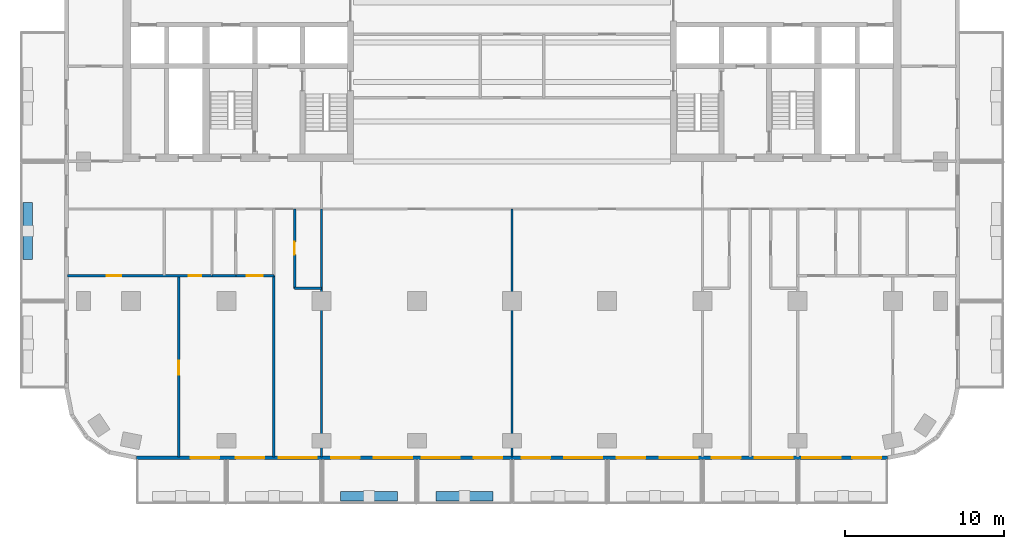
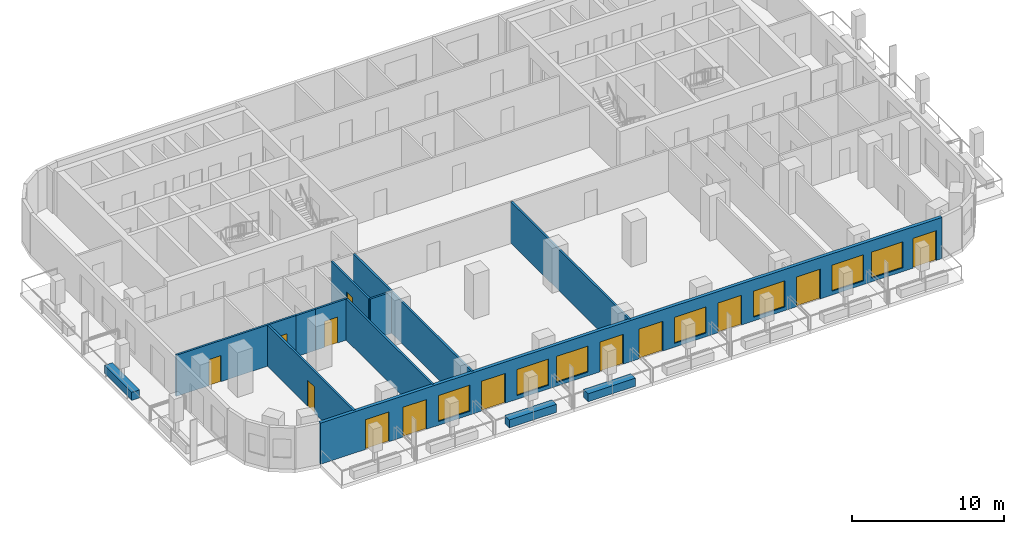
# One storey, part 2 of 11: 13 doors, 13 walls, 7 windows, 20 openings.
"""IFC4 building model written with IfcOpenShell, lengths in metres."""

from ifc_helpers import new_model, si_unit, direction, frame, frame_2d, origin, place, context, subcontext, project, spatial, rectangle, extrude, material, layer, layer_set, type_object, element, fill, save


model = new_model("IFC4")

# Units and contexts
model_context = context("Model", 3, precision=1e-05, world=origin(), true_north=direction((0.0, 1.0)))
body_context = subcontext(model_context, "Body", "Model", "MODEL_VIEW")
ifc_project = project(units=[si_unit("LENGTHUNIT", "METRE"), si_unit("AREAUNIT", "SQUARE_METRE"), si_unit("VOLUMEUNIT", "CUBIC_METRE"), si_unit("PLANEANGLEUNIT", "RADIAN"), si_unit("MASSUNIT", "GRAM", prefix="KILO")], contexts=[model_context])

# Site, building, storey
site_placement = place(None, origin())
site = spatial("IfcSite", under=ifc_project, at=site_placement, CompositionType="ELEMENT")
building_placement = place(site_placement, origin())
building = spatial("IfcBuilding", under=site, at=building_placement, Name="Torana Hotel and Residences", CompositionType="ELEMENT")
storey_placement = place(building_placement, frame((0.0, 0.0, 123.60009765625)))
storey = spatial("IfcBuildingStorey", under=building, at=storey_placement, Name="L31", CompositionType="ELEMENT", Elevation=123.60009765625)

# Wall, openings, doors, windows
ifc_material_1 = material(Name="Black aluminium composite panel", Category="aluminium")
ifc_layer_1 = layer(ifc_material_1, 0.00390625, Name="Cladding", Category="cladding")
ifc_material_2 = material(Name="Ventilated air cavity")
ifc_layer_2 = layer(ifc_material_2, 0.0400390625, Name="Ventilated cavity", Category="cavity")
ifc_material_3 = material(Name="Mineral wool insulation")
ifc_layer_3 = layer(ifc_material_3, 0.090087890625, Name="Insulation", Category="insulation")
ifc_material_4 = material(Name="Steel S280GD", Category="steel")
ifc_layer_4 = layer(ifc_material_4, 0.092041015625, Name="Steel stud frame", Category="structure")
ifc_material_5 = material(Name="Fire rated plasterboard")
ifc_layer_5 = layer(ifc_material_5, 0.011962890625, Name="Inner board", Category="finish")
ifc_layer_6 = layer(ifc_material_5, 0.011962890625, Name="Second board", Category="finish")
ifc_layer_set_1 = layer_set([ifc_layer_1, ifc_layer_2, ifc_layer_3, ifc_layer_4, ifc_layer_5, ifc_layer_6], Name="EW1 EXTERNAL WALL BLACK METAL CLAD 250")
wall_type_1 = type_object("IfcWallType", Name="EW1 EXTERNAL WALL BLACK METAL CLAD 250", PredefinedType="SOLIDWALL", material=ifc_layer_set_1)
wall_1_placement = place(storey_placement, frame((-23.67529296875, -33.675048828125, 0.0), z_axis=(0.0, 0.0, 1.0), x_axis=(1.0, 0.0, 0.0)))
wall_1 = element("IfcWall", 1, at=wall_1_placement, inside=storey, type_object=wall_type_1, Name="External wall L31 e0.14", PredefinedType="SOLIDWALL", context=body_context, shape_type="SweptSolid", body=[
    extrude(rectangle(XDim=47.3505859375, YDim=0.25, at=frame_2d((23.67529296875, 0.0))), origin(), (0.0, 0.0, 1.0), 3.31982421875),
])
opening_1_placement = place(wall_1_placement, frame((3.42529296875, 0.0, 0.0)))
opening_1 = element("IfcOpeningElement", 2, at=opening_1_placement, cuts=wall_1, Name="Opening L31-E01", PredefinedType="OPENING", context=body_context, shape_type="SweptSolid", body=[
    extrude(rectangle(XDim=1.800048828125, YDim=2.39990234375, at=frame_2d((0.89990234375, 1.199951171875))), frame((0.0, 0.135009765625, 0.0), z_axis=(0.0, -1.0, 0.0), x_axis=(1.0, 0.0, 0.0)), (0.0, 0.0, 1.0), 0.27001953125),
])
opening_2_placement = place(wall_1_placement, frame((6.275390625, 0.0, 0.0)))
opening_2 = element("IfcOpeningElement", 3, at=opening_2_placement, cuts=wall_1, Name="Opening L31-E02", PredefinedType="OPENING", context=body_context, shape_type="SweptSolid", body=[
    extrude(rectangle(XDim=1.800048828125, YDim=2.39990234375, at=frame_2d((0.89990234375, 1.199951171875))), frame((0.0, 0.135009765625, 0.0), z_axis=(0.0, -1.0, 0.0), x_axis=(1.0, 0.0, 0.0)), (0.0, 0.0, 1.0), 0.27001953125),
])
opening_3_placement = place(wall_1_placement, frame((8.975341796875, 0.0, 0.300048828125)))
opening_3 = element("IfcOpeningElement", 4, at=opening_3_placement, cuts=wall_1, Name="Opening W1", PredefinedType="OPENING", context=body_context, shape_type="SweptSolid", body=[
    extrude(rectangle(XDim=2.39990234375, YDim=2.10009765625, at=frame_2d((1.199951171875, 1.050048828125))), frame((0.0, 0.135009765625, 0.0), z_axis=(0.0, -1.0, 0.0), x_axis=(1.0, 0.0, 0.0)), (0.0, 0.0, 1.0), 0.27001953125),
])
opening_4_placement = place(wall_1_placement, frame((12.275390625, 0.0, 0.0)))
opening_4 = element("IfcOpeningElement", 5, at=opening_4_placement, cuts=wall_1, Name="Opening L31-E03", PredefinedType="OPENING", context=body_context, shape_type="SweptSolid", body=[
    extrude(rectangle(XDim=1.800048828125, YDim=2.39990234375, at=frame_2d((0.89990234375, 1.199951171875))), frame((0.0, 0.135009765625, 0.0), z_axis=(0.0, -1.0, 0.0), x_axis=(1.0, 0.0, 0.0)), (0.0, 0.0, 1.0), 0.27001953125),
])
opening_5_placement = place(wall_1_placement, frame((14.975341796875, 0.0, 0.300048828125)))
opening_5 = element("IfcOpeningElement", 6, at=opening_5_placement, cuts=wall_1, Name="Opening W1", PredefinedType="OPENING", context=body_context, shape_type="SweptSolid", body=[
    extrude(rectangle(XDim=2.39990234375, YDim=2.10009765625, at=frame_2d((1.199951171875, 1.050048828125))), frame((0.0, 0.135009765625, 0.0), z_axis=(0.0, -1.0, 0.0), x_axis=(1.0, 0.0, 0.0)), (0.0, 0.0, 1.0), 0.27001953125),
])
opening_6_placement = place(wall_1_placement, frame((17.975341796875, 0.0, 0.300048828125)))
opening_6 = element("IfcOpeningElement", 7, at=opening_6_placement, cuts=wall_1, Name="Opening W1", PredefinedType="OPENING", context=body_context, shape_type="SweptSolid", body=[
    extrude(rectangle(XDim=2.39990234375, YDim=2.10009765625, at=frame_2d((1.199951171875, 1.050048828125))), frame((0.0, 0.135009765625, 0.0), z_axis=(0.0, -1.0, 0.0), x_axis=(1.0, 0.0, 0.0)), (0.0, 0.0, 1.0), 0.27001953125),
])
opening_7_placement = place(wall_1_placement, frame((21.275390625, 0.0, 0.0)))
opening_7 = element("IfcOpeningElement", 8, at=opening_7_placement, cuts=wall_1, Name="Opening L31-E04", PredefinedType="OPENING", context=body_context, shape_type="SweptSolid", body=[
    extrude(rectangle(XDim=1.800048828125, YDim=2.39990234375, at=frame_2d((0.89990234375, 1.199951171875))), frame((0.0, 0.135009765625, 0.0), z_axis=(0.0, -1.0, 0.0), x_axis=(1.0, 0.0, 0.0)), (0.0, 0.0, 1.0), 0.27001953125),
])
opening_8_placement = place(wall_1_placement, frame((24.275390625, 0.0, 0.0)))
opening_8 = element("IfcOpeningElement", 9, at=opening_8_placement, cuts=wall_1, Name="Opening L31-E05", PredefinedType="OPENING", context=body_context, shape_type="SweptSolid", body=[
    extrude(rectangle(XDim=1.800048828125, YDim=2.39990234375, at=frame_2d((0.89990234375, 1.199951171875))), frame((0.0, 0.135009765625, 0.0), z_axis=(0.0, -1.0, 0.0), x_axis=(1.0, 0.0, 0.0)), (0.0, 0.0, 1.0), 0.27001953125),
])
opening_9_placement = place(wall_1_placement, frame((26.975341796875, 0.0, 0.300048828125)))
opening_9 = element("IfcOpeningElement", 10, at=opening_9_placement, cuts=wall_1, Name="Opening W1", PredefinedType="OPENING", context=body_context, shape_type="SweptSolid", body=[
    extrude(rectangle(XDim=2.39990234375, YDim=2.10009765625, at=frame_2d((1.199951171875, 1.050048828125))), frame((0.0, 0.135009765625, 0.0), z_axis=(0.0, -1.0, 0.0), x_axis=(1.0, 0.0, 0.0)), (0.0, 0.0, 1.0), 0.27001953125),
])
opening_10_placement = place(wall_1_placement, frame((30.275390625, 0.0, 0.0)))
opening_10 = element("IfcOpeningElement", 11, at=opening_10_placement, cuts=wall_1, Name="Opening L31-E06", PredefinedType="OPENING", context=body_context, shape_type="SweptSolid", body=[
    extrude(rectangle(XDim=1.800048828125, YDim=2.39990234375, at=frame_2d((0.89990234375, 1.199951171875))), frame((0.0, 0.135009765625, 0.0), z_axis=(0.0, -1.0, 0.0), x_axis=(1.0, 0.0, 0.0)), (0.0, 0.0, 1.0), 0.27001953125),
])
opening_11_placement = place(wall_1_placement, frame((32.975341796875, 0.0, 0.300048828125)))
opening_11 = element("IfcOpeningElement", 12, at=opening_11_placement, cuts=wall_1, Name="Opening W1", PredefinedType="OPENING", context=body_context, shape_type="SweptSolid", body=[
    extrude(rectangle(XDim=2.39990234375, YDim=2.10009765625, at=frame_2d((1.199951171875, 1.050048828125))), frame((0.0, 0.135009765625, 0.0), z_axis=(0.0, -1.0, 0.0), x_axis=(1.0, 0.0, 0.0)), (0.0, 0.0, 1.0), 0.27001953125),
])
opening_12_placement = place(wall_1_placement, frame((36.275390625, 0.0, 0.0)))
opening_12 = element("IfcOpeningElement", 13, at=opening_12_placement, cuts=wall_1, Name="Opening L31-E07", PredefinedType="OPENING", context=body_context, shape_type="SweptSolid", body=[
    extrude(rectangle(XDim=1.800048828125, YDim=2.39990234375, at=frame_2d((0.89990234375, 1.199951171875))), frame((0.0, 0.135009765625, 0.0), z_axis=(0.0, -1.0, 0.0), x_axis=(1.0, 0.0, 0.0)), (0.0, 0.0, 1.0), 0.27001953125),
])
opening_13_placement = place(wall_1_placement, frame((38.975341796875, 0.0, 0.300048828125)))
opening_13 = element("IfcOpeningElement", 14, at=opening_13_placement, cuts=wall_1, Name="Opening W1", PredefinedType="OPENING", context=body_context, shape_type="SweptSolid", body=[
    extrude(rectangle(XDim=2.39990234375, YDim=2.10009765625, at=frame_2d((1.199951171875, 1.050048828125))), frame((0.0, 0.135009765625, 0.0), z_axis=(0.0, -1.0, 0.0), x_axis=(1.0, 0.0, 0.0)), (0.0, 0.0, 1.0), 0.27001953125),
])
opening_14_placement = place(wall_1_placement, frame((41.975341796875, 0.0, 0.300048828125)))
opening_14 = element("IfcOpeningElement", 15, at=opening_14_placement, cuts=wall_1, Name="Opening W1", PredefinedType="OPENING", context=body_context, shape_type="SweptSolid", body=[
    extrude(rectangle(XDim=2.39990234375, YDim=2.10009765625, at=frame_2d((1.199951171875, 1.050048828125))), frame((0.0, 0.135009765625, 0.0), z_axis=(0.0, -1.0, 0.0), x_axis=(1.0, 0.0, 0.0)), (0.0, 0.0, 1.0), 0.27001953125),
])
opening_15_placement = place(wall_1_placement, frame((45.12548828125, 0.0, 0.0)))
opening_15 = element("IfcOpeningElement", 16, at=opening_15_placement, cuts=wall_1, Name="Opening L31-E08", PredefinedType="OPENING", context=body_context, shape_type="SweptSolid", body=[
    extrude(rectangle(XDim=1.800048828125, YDim=2.39990234375, at=frame_2d((0.89990234375, 1.199951171875))), frame((0.0, 0.135009765625, 0.0), z_axis=(0.0, -1.0, 0.0), x_axis=(1.0, 0.0, 0.0)), (0.0, 0.0, 1.0), 0.27001953125),
])
ifc_material_6 = material(Name="Dark glass in black aluminium frame", Category="aluminium")
door_type_1 = type_object("IfcDoorType", Name="DB1 BALCONY DOOR 1800x2400", OperationType="DOUBLE_DOOR_SINGLE_SWING", PredefinedType="DOOR", material=ifc_material_6)
door_1_placement = place(opening_1_placement, frame((0.89990234375, 0.0, 0.0), z_axis=(0.0, 0.0, 1.0), x_axis=(-1.0, 0.0, 0.0)))
door_1 = element("IfcDoor", 17, at=door_1_placement, inside=storey, type_object=door_type_1, Name="Balcony door L31", OperationType="DOUBLE_DOOR_SINGLE_SWING", OverallHeight=2.39990234375, OverallWidth=1.800048828125, PredefinedType="DOOR", context=body_context, shape_type="SweptSolid", body=[
    extrude(rectangle(XDim=1.800048828125, YDim=2.39990234375, at=frame_2d((0.0, 1.199951171875))), frame((0.0, -0.02490234375, 0.0), z_axis=(0.0, 1.0, 0.0), x_axis=(-1.0, 0.0, 0.0)), (0.0, 0.0, 1.0), 0.050048828125),
])
fill(opening_1, door_1)
door_2_placement = place(opening_2_placement, origin())
door_2 = element("IfcDoor", 18, at=door_2_placement, inside=storey, type_object=door_type_1, Name="Balcony door L31", OperationType="DOUBLE_DOOR_SINGLE_SWING", OverallHeight=2.39990234375, OverallWidth=1.800048828125, PredefinedType="DOOR", context=body_context, shape_type="SweptSolid", body=[
    extrude(rectangle(XDim=1.800048828125, YDim=2.39990234375, at=frame_2d((0.89990234375, 1.199951171875))), frame((0.0, 0.02490234375, 0.0), z_axis=(0.0, -1.0, 0.0), x_axis=(1.0, 0.0, 0.0)), (0.0, 0.0, 1.0), 0.050048828125),
])
fill(opening_2, door_2)
door_3_placement = place(opening_4_placement, origin())
door_3 = element("IfcDoor", 19, at=door_3_placement, inside=storey, type_object=door_type_1, Name="Balcony door L31", OperationType="DOUBLE_DOOR_SINGLE_SWING", OverallHeight=2.39990234375, OverallWidth=1.800048828125, PredefinedType="DOOR", context=body_context, shape_type="SweptSolid", body=[
    extrude(rectangle(XDim=1.800048828125, YDim=2.39990234375, at=frame_2d((0.89990234375, 1.199951171875))), frame((0.0, 0.02490234375, 0.0), z_axis=(0.0, -1.0, 0.0), x_axis=(1.0, 0.0, 0.0)), (0.0, 0.0, 1.0), 0.050048828125),
])
fill(opening_4, door_3)
door_4_placement = place(opening_7_placement, origin())
door_4 = element("IfcDoor", 20, at=door_4_placement, inside=storey, type_object=door_type_1, Name="Balcony door L31", OperationType="DOUBLE_DOOR_SINGLE_SWING", OverallHeight=2.39990234375, OverallWidth=1.800048828125, PredefinedType="DOOR", context=body_context, shape_type="SweptSolid", body=[
    extrude(rectangle(XDim=1.800048828125, YDim=2.39990234375, at=frame_2d((0.89990234375, 1.199951171875))), frame((0.0, 0.02490234375, 0.0), z_axis=(0.0, -1.0, 0.0), x_axis=(1.0, 0.0, 0.0)), (0.0, 0.0, 1.0), 0.050048828125),
])
fill(opening_7, door_4)
door_5_placement = place(opening_8_placement, origin())
door_5 = element("IfcDoor", 21, at=door_5_placement, inside=storey, type_object=door_type_1, Name="Balcony door L31", OperationType="DOUBLE_DOOR_SINGLE_SWING", OverallHeight=2.39990234375, OverallWidth=1.800048828125, PredefinedType="DOOR", context=body_context, shape_type="SweptSolid", body=[
    extrude(rectangle(XDim=1.800048828125, YDim=2.39990234375, at=frame_2d((0.89990234375, 1.199951171875))), frame((0.0, 0.02490234375, 0.0), z_axis=(0.0, -1.0, 0.0), x_axis=(1.0, 0.0, 0.0)), (0.0, 0.0, 1.0), 0.050048828125),
])
fill(opening_8, door_5)
door_6_placement = place(opening_10_placement, origin())
door_6 = element("IfcDoor", 22, at=door_6_placement, inside=storey, type_object=door_type_1, Name="Balcony door L31", OperationType="DOUBLE_DOOR_SINGLE_SWING", OverallHeight=2.39990234375, OverallWidth=1.800048828125, PredefinedType="DOOR", context=body_context, shape_type="SweptSolid", body=[
    extrude(rectangle(XDim=1.800048828125, YDim=2.39990234375, at=frame_2d((0.89990234375, 1.199951171875))), frame((0.0, 0.02490234375, 0.0), z_axis=(0.0, -1.0, 0.0), x_axis=(1.0, 0.0, 0.0)), (0.0, 0.0, 1.0), 0.050048828125),
])
fill(opening_10, door_6)
door_7_placement = place(opening_12_placement, origin())
door_7 = element("IfcDoor", 23, at=door_7_placement, inside=storey, type_object=door_type_1, Name="Balcony door L31", OperationType="DOUBLE_DOOR_SINGLE_SWING", OverallHeight=2.39990234375, OverallWidth=1.800048828125, PredefinedType="DOOR", context=body_context, shape_type="SweptSolid", body=[
    extrude(rectangle(XDim=1.800048828125, YDim=2.39990234375, at=frame_2d((0.89990234375, 1.199951171875))), frame((0.0, 0.02490234375, 0.0), z_axis=(0.0, -1.0, 0.0), x_axis=(1.0, 0.0, 0.0)), (0.0, 0.0, 1.0), 0.050048828125),
])
fill(opening_12, door_7)
door_8_placement = place(opening_15_placement, origin())
door_8 = element("IfcDoor", 24, at=door_8_placement, inside=storey, type_object=door_type_1, Name="Balcony door L31", OperationType="DOUBLE_DOOR_SINGLE_SWING", OverallHeight=2.39990234375, OverallWidth=1.800048828125, PredefinedType="DOOR", context=body_context, shape_type="SweptSolid", body=[
    extrude(rectangle(XDim=1.800048828125, YDim=2.39990234375, at=frame_2d((0.89990234375, 1.199951171875))), frame((0.0, 0.02490234375, 0.0), z_axis=(0.0, -1.0, 0.0), x_axis=(1.0, 0.0, 0.0)), (0.0, 0.0, 1.0), 0.050048828125),
])
fill(opening_15, door_8)
ifc_material_7 = material(Name="Dark glass in black aluminium frame", Category="aluminium")
window_type = type_object("IfcWindowType", Name="W1 HOTEL ROOM WINDOW 2400x2100", PartitioningType="SINGLE_PANEL", PredefinedType="WINDOW", material=ifc_material_7)
window_1_placement = place(opening_3_placement, origin())
window_1 = element("IfcWindow", 25, at=window_1_placement, inside=storey, type_object=window_type, Name="Window L31", OverallHeight=2.10009765625, OverallWidth=2.39990234375, PartitioningType="SINGLE_PANEL", PredefinedType="WINDOW", context=body_context, shape_type="SweptSolid", body=[
    extrude(rectangle(XDim=2.39990234375, YDim=2.10009765625, at=frame_2d((1.199951171875, 1.050048828125))), frame((0.0, 0.030029296875, 0.0), z_axis=(0.0, -1.0, 0.0), x_axis=(1.0, 0.0, 0.0)), (0.0, 0.0, 1.0), 0.06005859375),
])
fill(opening_3, window_1)
window_2_placement = place(opening_5_placement, origin())
window_2 = element("IfcWindow", 26, at=window_2_placement, inside=storey, type_object=window_type, Name="Window L31", OverallHeight=2.10009765625, OverallWidth=2.39990234375, PartitioningType="SINGLE_PANEL", PredefinedType="WINDOW", context=body_context, shape_type="SweptSolid", body=[
    extrude(rectangle(XDim=2.39990234375, YDim=2.10009765625, at=frame_2d((1.199951171875, 1.050048828125))), frame((0.0, 0.030029296875, 0.0), z_axis=(0.0, -1.0, 0.0), x_axis=(1.0, 0.0, 0.0)), (0.0, 0.0, 1.0), 0.06005859375),
])
fill(opening_5, window_2)
window_3_placement = place(opening_6_placement, origin())
window_3 = element("IfcWindow", 27, at=window_3_placement, inside=storey, type_object=window_type, Name="Window L31", OverallHeight=2.10009765625, OverallWidth=2.39990234375, PartitioningType="SINGLE_PANEL", PredefinedType="WINDOW", context=body_context, shape_type="SweptSolid", body=[
    extrude(rectangle(XDim=2.39990234375, YDim=2.10009765625, at=frame_2d((1.199951171875, 1.050048828125))), frame((0.0, 0.030029296875, 0.0), z_axis=(0.0, -1.0, 0.0), x_axis=(1.0, 0.0, 0.0)), (0.0, 0.0, 1.0), 0.06005859375),
])
fill(opening_6, window_3)
window_4_placement = place(opening_9_placement, origin())
window_4 = element("IfcWindow", 28, at=window_4_placement, inside=storey, type_object=window_type, Name="Window L31", OverallHeight=2.10009765625, OverallWidth=2.39990234375, PartitioningType="SINGLE_PANEL", PredefinedType="WINDOW", context=body_context, shape_type="SweptSolid", body=[
    extrude(rectangle(XDim=2.39990234375, YDim=2.10009765625, at=frame_2d((1.199951171875, 1.050048828125))), frame((0.0, 0.030029296875, 0.0), z_axis=(0.0, -1.0, 0.0), x_axis=(1.0, 0.0, 0.0)), (0.0, 0.0, 1.0), 0.06005859375),
])
fill(opening_9, window_4)
window_5_placement = place(opening_11_placement, origin())
window_5 = element("IfcWindow", 29, at=window_5_placement, inside=storey, type_object=window_type, Name="Window L31", OverallHeight=2.10009765625, OverallWidth=2.39990234375, PartitioningType="SINGLE_PANEL", PredefinedType="WINDOW", context=body_context, shape_type="SweptSolid", body=[
    extrude(rectangle(XDim=2.39990234375, YDim=2.10009765625, at=frame_2d((1.199951171875, 1.050048828125))), frame((0.0, 0.030029296875, 0.0), z_axis=(0.0, -1.0, 0.0), x_axis=(1.0, 0.0, 0.0)), (0.0, 0.0, 1.0), 0.06005859375),
])
fill(opening_11, window_5)
window_6_placement = place(opening_13_placement, origin())
window_6 = element("IfcWindow", 30, at=window_6_placement, inside=storey, type_object=window_type, Name="Window L31", OverallHeight=2.10009765625, OverallWidth=2.39990234375, PartitioningType="SINGLE_PANEL", PredefinedType="WINDOW", context=body_context, shape_type="SweptSolid", body=[
    extrude(rectangle(XDim=2.39990234375, YDim=2.10009765625, at=frame_2d((1.199951171875, 1.050048828125))), frame((0.0, 0.030029296875, 0.0), z_axis=(0.0, -1.0, 0.0), x_axis=(1.0, 0.0, 0.0)), (0.0, 0.0, 1.0), 0.06005859375),
])
fill(opening_13, window_6)
window_7_placement = place(opening_14_placement, origin())
window_7 = element("IfcWindow", 31, at=window_7_placement, inside=storey, type_object=window_type, Name="Window L31", OverallHeight=2.10009765625, OverallWidth=2.39990234375, PartitioningType="SINGLE_PANEL", PredefinedType="WINDOW", context=body_context, shape_type="SweptSolid", body=[
    extrude(rectangle(XDim=2.39990234375, YDim=2.10009765625, at=frame_2d((1.199951171875, 1.050048828125))), frame((0.0, 0.030029296875, 0.0), z_axis=(0.0, -1.0, 0.0), x_axis=(1.0, 0.0, 0.0)), (0.0, 0.0, 1.0), 0.06005859375),
])
fill(opening_14, window_7)

# Wall, opening, door
ifc_material_8 = material(Name="Gypsum plaster")
ifc_layer_7 = layer(ifc_material_8, 0.014892578125, Name="Plaster", Category="finish")
ifc_material_9 = material(Name="Concrete blockwork", Category="masonry")
ifc_layer_8 = layer(ifc_material_9, 0.1201171875, Name="Blockwork", Category="structure")
ifc_layer_9 = layer(ifc_material_8, 0.014892578125, Name="Plaster", Category="finish")
ifc_layer_set_2 = layer_set([ifc_layer_7, ifc_layer_8, ifc_layer_9], Name="FIRE PARTITION 150 BLOCKWORK")
wall_type_2 = type_object("IfcWallType", Name="FIRE PARTITION 150 BLOCKWORK", PredefinedType="PARTITIONING", material=ifc_layer_set_2)
wall_2_placement = place(storey_placement, frame((-17.39990234375, -22.199951171875, 0.0), z_axis=(0.0, 0.0, 1.0), x_axis=(1.0, 0.0, 0.0)))
wall_2 = element("IfcWall", 32, at=wall_2_placement, inside=storey, type_object=wall_type_2, Name="Partition L31", PredefinedType="PARTITIONING", context=body_context, shape_type="SweptSolid", body=[
    extrude(rectangle(XDim=2.39990234375, YDim=0.14990234375, at=frame_2d((1.199951171875, 0.0))), origin(), (0.0, 0.0, 1.0), 3.31982421875),
])
opening_16_placement = place(wall_2_placement, frame((0.679931640625, 0.0, 0.0)))
opening_16 = element("IfcOpeningElement", 33, at=opening_16_placement, cuts=wall_2, Name="Opening L31-55", PredefinedType="OPENING", context=body_context, shape_type="SweptSolid", body=[
    extrude(rectangle(XDim=1.0, YDim=2.10009765625, at=frame_2d((0.5, 1.050048828125))), frame((0.0, 0.0849609375, 0.0), z_axis=(0.0, -1.0, 0.0), x_axis=(1.0, 0.0, 0.0)), (0.0, 0.0, 1.0), 0.169921875),
])
ifc_material_10 = material(Name="Steel S235", Category="steel")
door_type_2 = type_object("IfcDoorType", Name="ENTRY FIRE DOOR D6 1000x2100", OperationType="SINGLE_SWING_LEFT", PredefinedType="DOOR", material=ifc_material_10)
door_9_placement = place(opening_16_placement, frame((0.5, 0.0, 0.0), z_axis=(0.0, 0.0, 1.0), x_axis=(-1.0, 0.0, 0.0)))
door_9 = element("IfcDoor", 34, at=door_9_placement, inside=storey, type_object=door_type_2, Name="Door L31", OperationType="SINGLE_SWING_RIGHT", OverallHeight=2.10009765625, OverallWidth=1.0, PredefinedType="DOOR", context=body_context, shape_type="SweptSolid", body=[
    extrude(rectangle(XDim=1.0, YDim=2.10009765625, at=frame_2d((0.0, 1.050048828125))), frame((0.0, -0.02490234375, 0.0), z_axis=(0.0, 1.0, 0.0), x_axis=(-1.0, 0.0, 0.0)), (0.0, 0.0, 1.0), 0.050048828125),
])
fill(opening_16, door_9)

# Walls
ifc_material_11 = material(Name="Gypsum plasterboard")
ifc_layer_10 = layer(ifc_material_11, 0.012451171875, Name="Plasterboard", Category="finish")
ifc_layer_11 = layer(ifc_material_11, 0.012451171875, Name="Plasterboard", Category="finish")
ifc_layer_12 = layer(ifc_material_4, 0.10009765625, Name="Steel studs with mineral wool", Category="insulation")
ifc_layer_13 = layer(ifc_material_11, 0.012451171875, Name="Plasterboard", Category="finish")
ifc_layer_14 = layer(ifc_material_11, 0.012451171875, Name="Plasterboard", Category="finish")
ifc_layer_set_3 = layer_set([ifc_layer_10, ifc_layer_11, ifc_layer_12, ifc_layer_13, ifc_layer_14], Name="PARTITION 150 PLASTERBOARD")
wall_type_3 = type_object("IfcWallType", Name="PARTITION 150 PLASTERBOARD", PredefinedType="PARTITIONING", material=ifc_layer_set_3)
for number, where, z_axis, x_axis, name in (
    (35, (0.0, -33.6201171875, 0.0), (0.0, 0.0, 1.0), (0.0, 1.0, 0.0), "Partition L31"),
    (36, (-12.0, -33.6201171875, 0.0), (0.0, 0.0, 1.0), (0.0, 1.0, 0.0), "Partition L31"),
):
    element("IfcWall", number, at=place(storey_placement, frame(where, z_axis=z_axis, x_axis=x_axis)), inside=storey, type_object=wall_type_3, Name=name, PredefinedType="PARTITIONING", context=body_context, shape_type="SweptSolid", body=[
        extrude(rectangle(XDim=15.6201171875, YDim=0.14990234375, at=frame_2d((7.81005859375, 0.0))), origin(), (0.0, 0.0, 1.0), 3.31982421875),
    ])

# Wall, opening, door
wall_3_placement = place(storey_placement, frame((-13.699951171875, -23.0, 0.0), z_axis=(0.0, 0.0, 1.0), x_axis=(0.0, 1.0, 0.0)))
wall_3 = element("IfcWall", 37, at=wall_3_placement, inside=storey, type_object=wall_type_3, Name="Partition L31", PredefinedType="PARTITIONING", context=body_context, shape_type="SweptSolid", body=[
    extrude(rectangle(XDim=5.0, YDim=0.14990234375, at=frame_2d((2.5, 0.0))), origin(), (0.0, 0.0, 1.0), 3.31982421875),
])
opening_17_placement = place(wall_3_placement, frame((2.1201171875, 0.0, 0.0)))
opening_17 = element("IfcOpeningElement", 38, at=opening_17_placement, cuts=wall_3, Name="Opening L31-51", PredefinedType="OPENING", context=body_context, shape_type="SweptSolid", body=[
    extrude(rectangle(XDim=0.800048828125, YDim=2.10009765625, at=frame_2d((0.39990234375, 1.050048828125))), frame((0.0, 0.0849609375, 0.0), z_axis=(0.0, -1.0, 0.0), x_axis=(1.0, 0.0, 0.0)), (0.0, 0.0, 1.0), 0.169921875),
])
ifc_material_12 = material(Name="Timber door, painted", Category="wood")
door_type_3 = type_object("IfcDoorType", Name="BATH DOOR D13 800x2100", OperationType="SINGLE_SWING_LEFT", PredefinedType="DOOR", material=ifc_material_12)
door_10_placement = place(opening_17_placement, origin())
door_10 = element("IfcDoor", 39, at=door_10_placement, inside=storey, type_object=door_type_3, Name="Door L31", OperationType="SINGLE_SWING_RIGHT", OverallHeight=2.10009765625, OverallWidth=0.800048828125, PredefinedType="DOOR", context=body_context, shape_type="SweptSolid", body=[
    extrude(rectangle(XDim=0.800048828125, YDim=2.10009765625, at=frame_2d((0.39990234375, 1.050048828125))), frame((0.0, 0.02490234375, 0.0), z_axis=(0.0, -1.0, 0.0), x_axis=(1.0, 0.0, 0.0)), (0.0, 0.0, 1.0), 0.050048828125),
])
fill(opening_17, door_10)

# Wall
wall_4_placement = place(storey_placement, frame((-15.0, -33.6201171875, 0.0), z_axis=(0.0, 0.0, 1.0), x_axis=(0.0, 1.0, 0.0)))
element("IfcWall", 40, at=wall_4_placement, inside=storey, type_object=wall_type_3, Name="Partition L31", PredefinedType="PARTITIONING", context=body_context, shape_type="SweptSolid", body=[
    extrude(rectangle(XDim=11.420166015625, YDim=0.14990234375, at=frame_2d((5.7099609375, 0.0))), origin(), (0.0, 0.0, 1.0), 3.31982421875),
])

# Wall, opening, door
wall_5_placement = place(storey_placement, frame((-21.0, -33.6201171875, 0.0), z_axis=(0.0, 0.0, 1.0), x_axis=(0.0, 1.0, 0.0)))
wall_5 = element("IfcWall", 41, at=wall_5_placement, inside=storey, type_object=wall_type_3, Name="Partition L31", PredefinedType="PARTITIONING", context=body_context, shape_type="SweptSolid", body=[
    extrude(rectangle(XDim=11.420166015625, YDim=0.14990234375, at=frame_2d((5.7099609375, 0.0))), origin(), (0.0, 0.0, 1.0), 3.31982421875),
])
opening_18_placement = place(wall_5_placement, frame((5.169921875, 0.0, 0.0)))
opening_18 = element("IfcOpeningElement", 42, at=opening_18_placement, cuts=wall_5, Name="Opening L31-58", PredefinedType="OPENING", context=body_context, shape_type="SweptSolid", body=[
    extrude(rectangle(XDim=0.89990234375, YDim=2.10009765625, at=frame_2d((0.449951171875, 1.050048828125))), frame((0.0, 0.0849609375, 0.0), z_axis=(0.0, -1.0, 0.0), x_axis=(1.0, 0.0, 0.0)), (0.0, 0.0, 1.0), 0.169921875),
])
ifc_material_13 = material(Name="Timber door, oiled ash", Category="wood")
door_type_4 = type_object("IfcDoorType", Name="ROOM DOOR D7 900x2100", OperationType="SINGLE_SWING_LEFT", PredefinedType="DOOR", material=ifc_material_13)
door_11_placement = place(opening_18_placement, origin())
door_11 = element("IfcDoor", 43, at=door_11_placement, inside=storey, type_object=door_type_4, Name="Door L31", OperationType="SINGLE_SWING_RIGHT", OverallHeight=2.10009765625, OverallWidth=0.89990234375, PredefinedType="DOOR", context=body_context, shape_type="SweptSolid", body=[
    extrude(rectangle(XDim=0.89990234375, YDim=2.10009765625, at=frame_2d((0.449951171875, 1.050048828125))), frame((0.0, 0.02490234375, 0.0), z_axis=(0.0, -1.0, 0.0), x_axis=(1.0, 0.0, 0.0)), (0.0, 0.0, 1.0), 0.050048828125),
])
fill(opening_18, door_11)

# Wall
wall_6_placement = place(storey_placement, frame((-13.699951171875, -23.0, 0.0), z_axis=(0.0, 0.0, 1.0), x_axis=(1.0, 0.0, 0.0)))
element("IfcWall", 44, at=wall_6_placement, inside=storey, type_object=wall_type_3, Name="Partition L31", PredefinedType="PARTITIONING", context=body_context, shape_type="SweptSolid", body=[
    extrude(rectangle(XDim=1.699951171875, YDim=0.14990234375, at=frame_2d((0.85009765625, 0.0))), origin(), (0.0, 0.0, 1.0), 3.31982421875),
])

# Wall, openings, doors
wall_7_placement = place(storey_placement, frame((-28.02001953125, -22.199951171875, 0.0), z_axis=(0.0, 0.0, 1.0), x_axis=(1.0, 0.0, 0.0)))
wall_7 = element("IfcWall", 45, at=wall_7_placement, inside=storey, type_object=wall_type_3, Name="Partition L31", PredefinedType="PARTITIONING", context=body_context, shape_type="SweptSolid", body=[
    extrude(rectangle(XDim=9.1201171875, YDim=0.14990234375, at=frame_2d((4.56005859375, 0.0))), origin(), (0.0, 0.0, 1.0), 3.31982421875),
])
opening_19_placement = place(wall_7_placement, frame((7.64990234375, 0.0, 0.0)))
opening_19 = element("IfcOpeningElement", 46, at=opening_19_placement, cuts=wall_7, Name="Opening L31-56", PredefinedType="OPENING", context=body_context, shape_type="SweptSolid", body=[
    extrude(rectangle(XDim=0.800048828125, YDim=2.10009765625, at=frame_2d((0.39990234375, 1.050048828125))), frame((0.0, 0.0849609375, 0.0), z_axis=(0.0, -1.0, 0.0), x_axis=(1.0, 0.0, 0.0)), (0.0, 0.0, 1.0), 0.169921875),
])
opening_20_placement = place(wall_7_placement, frame((2.5, 0.0, 0.0)))
opening_20 = element("IfcOpeningElement", 47, at=opening_20_placement, cuts=wall_7, Name="Opening L31-57", PredefinedType="OPENING", context=body_context, shape_type="SweptSolid", body=[
    extrude(rectangle(XDim=0.89990234375, YDim=2.10009765625, at=frame_2d((0.449951171875, 1.050048828125))), frame((0.0, 0.0849609375, 0.0), z_axis=(0.0, -1.0, 0.0), x_axis=(1.0, 0.0, 0.0)), (0.0, 0.0, 1.0), 0.169921875),
])
door_12_placement = place(opening_19_placement, origin())
door_12 = element("IfcDoor", 48, at=door_12_placement, inside=storey, type_object=door_type_3, Name="Door L31", OperationType="SINGLE_SWING_LEFT", OverallHeight=2.10009765625, OverallWidth=0.800048828125, PredefinedType="DOOR", context=body_context, shape_type="SweptSolid", body=[
    extrude(rectangle(XDim=0.800048828125, YDim=2.10009765625, at=frame_2d((0.39990234375, 1.050048828125))), frame((0.0, 0.02490234375, 0.0), z_axis=(0.0, -1.0, 0.0), x_axis=(1.0, 0.0, 0.0)), (0.0, 0.0, 1.0), 0.050048828125),
])
fill(opening_19, door_12)
door_13_placement = place(opening_20_placement, origin())
door_13 = element("IfcDoor", 49, at=door_13_placement, inside=storey, type_object=door_type_4, Name="Door L31", OperationType="SINGLE_SWING_RIGHT", OverallHeight=2.10009765625, OverallWidth=0.89990234375, PredefinedType="DOOR", context=body_context, shape_type="SweptSolid", body=[
    extrude(rectangle(XDim=0.89990234375, YDim=2.10009765625, at=frame_2d((0.449951171875, 1.050048828125))), frame((0.0, 0.02490234375, 0.0), z_axis=(0.0, -1.0, 0.0), x_axis=(1.0, 0.0, 0.0)), (0.0, 0.0, 1.0), 0.050048828125),
])
fill(opening_20, door_13)

# Walls
ifc_material_14 = material(Name="Concrete C40/50 precast", Category="concrete")
ifc_layer_15 = layer(ifc_material_14, 0.10009765625, Name="Planter shell", Category="structure")
ifc_material_15 = material(Name="Root resistant membrane")
ifc_layer_16 = layer(ifc_material_15, 0.00390625, Name="Waterproofing membrane", Category="membrane")
ifc_material_16 = material(Name="Drainage board with filter fleece")
ifc_layer_17 = layer(ifc_material_16, 0.02001953125, Name="Drainage board", Category="drainage")
ifc_material_17 = material(Name="Growing medium")
ifc_layer_18 = layer(ifc_material_17, 0.47607421875, Name="Planting substrate", Category="soil")
ifc_layer_set_4 = layer_set([ifc_layer_15, ifc_layer_16, ifc_layer_17, ifc_layer_18], Name="PL1 BALCONY PLANTER 600")
wall_type_4 = type_object("IfcWallType", Name="PL1 BALCONY PLANTER 600", PredefinedType="USERDEFINED", material=ifc_layer_set_4)
for number, where, z_axis, x_axis, name in (
    (50, (-7.199951171875, -36.10009765625, 0.0), (0.0, 0.0, 1.0), (-1.0, 0.0, 0.0), "Planter 03"),
    (51, (-1.199951171875, -36.10009765625, 0.0), (0.0, 0.0, 1.0), (-1.0, 0.0, 0.0), "Planter 04"),
):
    element("IfcWall", number, at=place(storey_placement, frame(where, z_axis=z_axis, x_axis=x_axis)), inside=storey, type_object=wall_type_4, Name=name, ObjectType="PLANTER", PredefinedType="USERDEFINED", context=body_context, shape_type="SweptSolid", body=[
        extrude(rectangle(XDim=3.60009765625, YDim=0.60009765625, at=frame_2d((1.800048828125, 0.0))), origin(), (0.0, 0.0, 1.0), 0.64990234375),
    ])
wall_8_placement = place(storey_placement, frame((-30.5, -21.199951171875, 0.0), z_axis=(0.0, 0.0, 1.0), x_axis=(0.0, 1.0, 0.0)))
element("IfcWall", 52, at=wall_8_placement, inside=storey, type_object=wall_type_4, Name="Planter 10", ObjectType="PLANTER", PredefinedType="USERDEFINED", context=body_context, shape_type="SweptSolid", body=[
    extrude(rectangle(XDim=3.599853515625, YDim=0.60009765625, at=frame_2d((1.7998046875, 0.0))), origin(), (0.0, 0.0, 1.0), 0.64990234375),
])
ifc_material_18 = material(Name="Ceramic tile on adhesive")
ifc_layer_19 = layer(ifc_material_18, 0.010009765625, Name="Wall tile", Category="finish")
ifc_material_19 = material(Name="Cement render")
ifc_layer_20 = layer(ifc_material_19, 0.010009765625, Name="Render", Category="finish")
ifc_layer_21 = layer(ifc_material_9, 0.110107421875, Name="Blockwork", Category="structure")
ifc_layer_22 = layer(ifc_material_19, 0.010009765625, Name="Render", Category="finish")
ifc_layer_23 = layer(ifc_material_18, 0.010009765625, Name="Wall tile", Category="finish")
ifc_layer_set_5 = layer_set([ifc_layer_19, ifc_layer_20, ifc_layer_21, ifc_layer_22, ifc_layer_23], Name="WC PARTITION 150")
wall_type_5 = type_object("IfcWallType", Name="WC PARTITION 150", PredefinedType="PLUMBINGWALL", material=ifc_layer_set_5)
wall_9_placement = place(storey_placement, frame((-18.89990234375, -22.199951171875, 0.0), z_axis=(0.0, 0.0, 1.0), x_axis=(1.0, 0.0, 0.0)))
element("IfcWall", 53, at=wall_9_placement, inside=storey, type_object=wall_type_5, Name="Partition L31", PredefinedType="PLUMBINGWALL", context=body_context, shape_type="SweptSolid", body=[
    extrude(rectangle(XDim=1.5, YDim=0.14990234375, at=frame_2d((0.75, 0.0))), origin(), (0.0, 0.0, 1.0), 3.31982421875),
])

save(model, "model.ifc")
